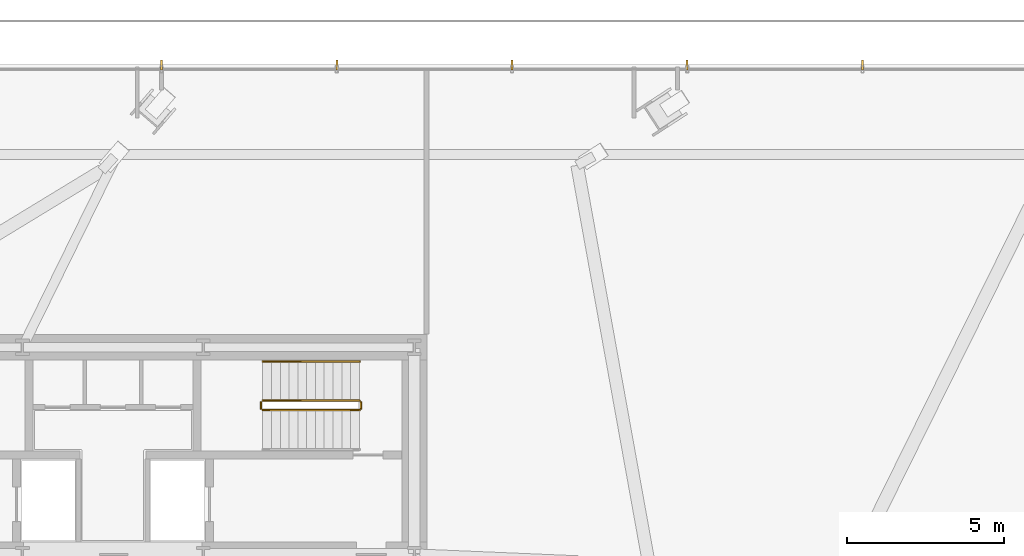
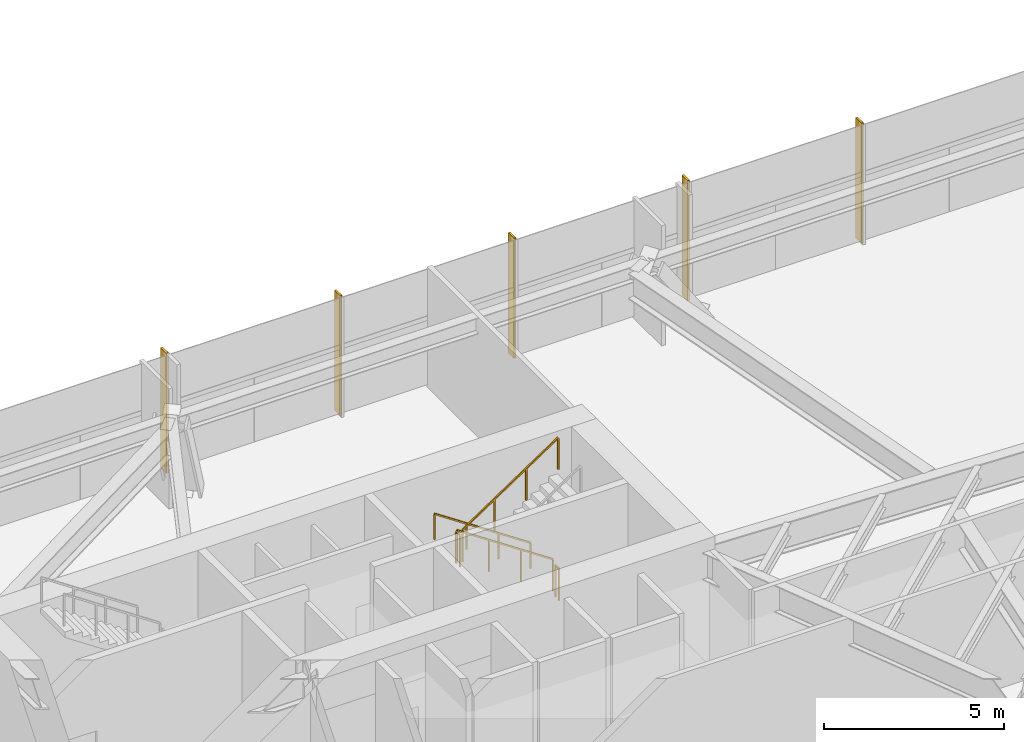
# One storey, part 28 of 30: 5 railings, 5 shading devices.
"""IFC4 building model written with IfcOpenShell, lengths in metres."""

from ifc_helpers import new_model, si_unit, direction, frame, origin, origin_2d, place, context, subcontext, project, spatial, rectangle, extrude, source, transform, mapped, material, type_object, type_shapes, element, save


model = new_model("IFC4")

# Units and contexts
model_context = context("Model", 3, precision=1e-05, world=origin(), true_north=direction((0.0, 1.0)))
body_context = subcontext(model_context, "Body", "Model", "MODEL_VIEW")
ifc_project = project(units=[si_unit("LENGTHUNIT", "METRE"), si_unit("AREAUNIT", "SQUARE_METRE"), si_unit("VOLUMEUNIT", "CUBIC_METRE"), si_unit("PLANEANGLEUNIT", "RADIAN"), si_unit("MASSUNIT", "GRAM", prefix="KILO")], contexts=[model_context])

# Site, building, storey
site_placement = place(None, origin())
site = spatial("IfcSite", under=ifc_project, at=site_placement, CompositionType="ELEMENT")
building_placement = place(site_placement, origin())
building = spatial("IfcBuilding", under=site, at=building_placement, Name="Astriad Promenade Condominiums", CompositionType="ELEMENT")
storey_placement = place(building_placement, frame((0.0, 0.0, 14.0)))
storey = spatial("IfcBuildingStorey", under=building, at=storey_placement, Name="L03", CompositionType="ELEMENT", Elevation=14.0)

# Shading devices
ifc_material_1 = material(Name="Anodised aluminium 6063-T6 Black Fin", Category="aluminium")
shading_device_type = type_object("IfcShadingDeviceType", Name="FIN-BLACK-320", PredefinedType="USERDEFINED", material=ifc_material_1)
shared_shape_1 = source(origin(), body_context, "Body", "SweptSolid", [
    extrude(rectangle(XDim=0.06494140625, YDim=0.320068359375, at=origin_2d()), origin(), (0.0, 0.0, 1.0), 4.080078125),
])
type_shapes(shading_device_type, [shared_shape_1])
for number, where, z_axis, x_axis, name in (
    (1, (37.550048828125, 32.989990234375, 0.0), (0.0, 0.0, 1.0), (1.0, 0.0, 0.0), "CW-L03-N-FIN-05"),
    (2, (43.1298828125, 32.989990234375, 0.0), (0.0, 0.0, 1.0), (1.0, 0.0, 0.0), "CW-L03-N-FIN-06"),
    (3, (48.7099609375, 32.989990234375, 0.0), (0.0, 0.0, 1.0), (1.0, 0.0, 0.0), "CW-L03-N-FIN-07"),
    (4, (54.2900390625, 32.989990234375, 0.0), (0.0, 0.0, 1.0), (1.0, 0.0, 0.0), "CW-L03-N-FIN-08"),
    (5, (59.8701171875, 32.989990234375, 0.0), (0.0, 0.0, 1.0), (1.0, 0.0, 0.0), "CW-L03-N-FIN-09"),
):
    element("IfcShadingDevice", number, at=place(storey_placement, frame(where, z_axis=z_axis, x_axis=x_axis)), inside=storey, type_object=shading_device_type, Name=name, ObjectType="FIN", PredefinedType="USERDEFINED", context=body_context, shape_type="MappedRepresentation", body=[
        mapped(shared_shape_1, transform((0.0, 0.0, 0.0), scale=1.0)),
    ])

# Railings
ifc_material_2 = material(Name="Painted Galvanised Steel Guardrail", Category="steel")
railing_type_1 = type_object("IfcRailingType", Name="GRD-STAIR-1100", PredefinedType="GUARDRAIL", material=ifc_material_2)
shared_shape_2 = source(origin(), body_context, "Body", "SweptSolid", [
    extrude(rectangle(XDim=0.048095703125, YDim=0.048095703125, at=origin_2d()), frame((0.0, 0.0, 1.076171875), z_axis=(0.830913701846, 0.0, 0.55640131208), x_axis=(0.0, 1.0, 0.0)), (0.0, 0.0, 1.0), 3.706787109375),
    extrude(rectangle(XDim=0.0419921875, YDim=0.0419921875, at=origin_2d()), origin(), (0.0, 0.0, 1.0), 1.052001953125),
    extrude(rectangle(XDim=0.0419921875, YDim=0.0419921875, at=origin_2d()), frame((1.026611328125, 0.0, 0.6875)), (0.0, 0.0, 1.0), 1.052001953125),
    extrude(rectangle(XDim=0.0419921875, YDim=0.0419921875, at=origin_2d()), frame((2.053466796875, 0.0, 1.375)), (0.0, 0.0, 1.0), 1.052001953125),
    extrude(rectangle(XDim=0.0419921875, YDim=0.0419921875, at=origin_2d()), frame((3.080078125, 0.0, 2.0625)), (0.0, 0.0, 1.0), 1.052001953125),
])
railing_1_placement = place(storey_placement, frame((40.77001953125, 22.0, 2.4375)))
element("IfcRailing", 6, at=railing_1_placement, inside=storey, type_object=railing_type_1, Name="L03 ST-2 stair guard 3", PredefinedType="GUARDRAIL", context=body_context, shape_type="MappedRepresentation", body=[
    mapped(shared_shape_2, transform((0.0, 0.0, 0.0), scale=1.0)),
])
shared_shape_3 = source(origin(), body_context, "Body", "SweptSolid", [
    extrude(rectangle(XDim=0.048095703125, YDim=0.048095703125, at=origin_2d()), frame((0.0, 0.0, 1.076171875), z_axis=(-0.830913701846, 0.0, 0.55640131208), x_axis=(0.0, -1.0, 0.0)), (0.0, 0.0, 1.0), 3.706787109375),
    extrude(rectangle(XDim=0.0419921875, YDim=0.0419921875, at=origin_2d()), origin(), (0.0, 0.0, 1.0), 1.052001953125),
    extrude(rectangle(XDim=0.0419921875, YDim=0.0419921875, at=origin_2d()), frame((-1.026611328125, 0.0, 0.6875)), (0.0, 0.0, 1.0), 1.052001953125),
    extrude(rectangle(XDim=0.0419921875, YDim=0.0419921875, at=origin_2d()), frame((-2.053466796875, 0.0, 1.375)), (0.0, 0.0, 1.0), 1.052001953125),
    extrude(rectangle(XDim=0.0419921875, YDim=0.0419921875, at=origin_2d()), frame((-3.080078125, 0.0, 2.0625)), (0.0, 0.0, 1.0), 1.052001953125),
])
railing_2_placement = place(storey_placement, frame((43.85009765625, 22.300048828125, 0.1875)))
element("IfcRailing", 7, at=railing_2_placement, inside=storey, type_object=railing_type_1, Name="L03 ST-2 stair guard 1", PredefinedType="GUARDRAIL", context=body_context, shape_type="MappedRepresentation", body=[
    mapped(shared_shape_3, transform((0.0, 0.0, 0.0), scale=1.0)),
])
ifc_material_3 = material(Name="Brushed Stainless Steel Handrail", Category="steel")
railing_type_2 = type_object("IfcRailingType", Name="HRL-STAIR-920", PredefinedType="HANDRAIL", material=ifc_material_3)
shared_shape_4 = source(origin(), body_context, "Body", "SweptSolid", [
    extrude(rectangle(XDim=0.048095703125, YDim=0.048095703125, at=origin_2d()), frame((0.0, 0.0, 0.8759765625), z_axis=(-0.830913701846, 0.0, 0.55640131208), x_axis=(0.0, -1.0, 0.0)), (0.0, 0.0, 1.0), 3.706787109375),
    extrude(rectangle(XDim=0.0419921875, YDim=0.0419921875, at=origin_2d()), origin(), (0.0, 0.0, 1.0), 0.851806640625),
    extrude(rectangle(XDim=0.0419921875, YDim=0.0419921875, at=origin_2d()), frame((-1.026611328125, 0.0, 0.6875)), (0.0, 0.0, 1.0), 0.851806640625),
    extrude(rectangle(XDim=0.0419921875, YDim=0.0419921875, at=origin_2d()), frame((-2.053466796875, 0.0, 1.375)), (0.0, 0.0, 1.0), 0.851806640625),
    extrude(rectangle(XDim=0.0419921875, YDim=0.0419921875, at=origin_2d()), frame((-3.080078125, 0.0, 2.0625)), (0.0, 0.0, 1.0), 0.851806640625),
])
type_shapes(railing_type_2, [shared_shape_4])
railing_3_placement = place(storey_placement, frame((43.85009765625, 23.550048828125, 0.1875)))
element("IfcRailing", 8, at=railing_3_placement, inside=storey, type_object=railing_type_2, Name="L03 ST-2 stair handrail 1", PredefinedType="HANDRAIL", context=body_context, shape_type="MappedRepresentation", body=[
    mapped(shared_shape_4, transform((0.0, 0.0, 0.0), scale=1.0)),
])
shared_shape_5 = source(origin(), body_context, "Body", "SweptSolid", [
    extrude(rectangle(XDim=0.048095703125, YDim=0.048095703125, at=origin_2d()), frame((0.0, 0.0, 1.076171875), z_axis=(0.0, -1.0, 0.0), x_axis=(1.0, 0.0, 0.0)), (0.0, 0.0, 1.0), 0.199951171875),
    extrude(rectangle(XDim=0.0419921875, YDim=0.0419921875, at=origin_2d()), origin(), (0.0, 0.0, 1.0), 1.052001953125),
    extrude(rectangle(XDim=0.0419921875, YDim=0.0419921875, at=origin_2d()), frame((0.0, -0.199951171875, 0.0)), (0.0, 0.0, 1.0), 1.052001953125),
])
type_shapes(railing_type_1, [shared_shape_2, shared_shape_3, shared_shape_5])
for number, where, name in (
    (9, (40.719970703125, 22.25, 2.25), "L03 ST-2 stair guard 2"),
    (10, (43.89990234375, 22.25, 0.0), "L03 ST-2 stair guard 4"),
):
    element("IfcRailing", number, at=place(storey_placement, frame(where)), inside=storey, type_object=railing_type_1, Name=name, PredefinedType="GUARDRAIL", context=body_context, shape_type="MappedRepresentation", body=[
        mapped(shared_shape_5, transform((0.0, 0.0, 0.0), scale=1.0)),
    ])

save(model, "model.ifc")
